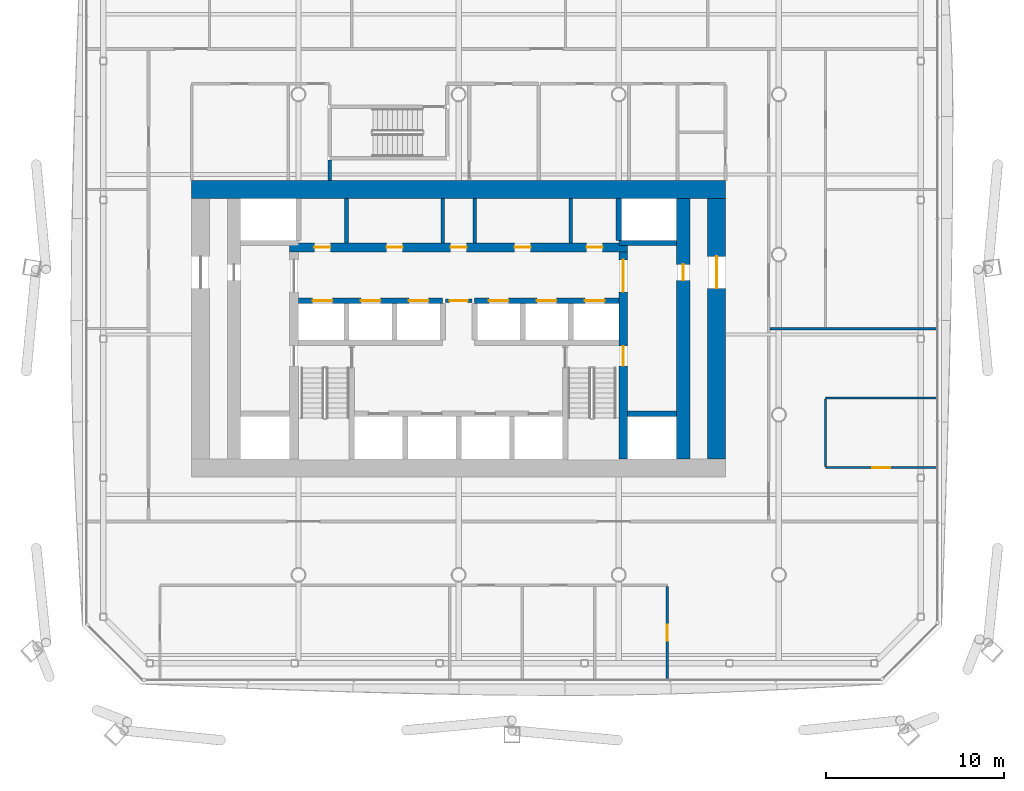
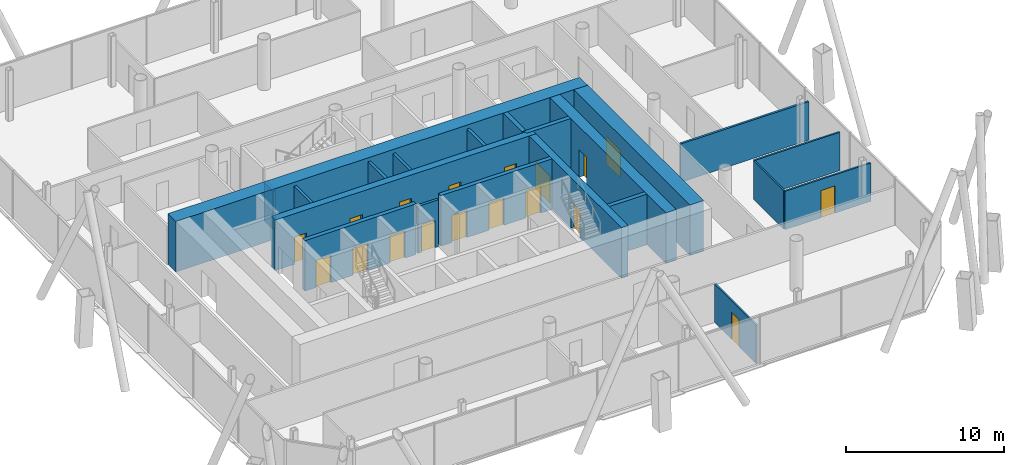
# One storey, part 15 of 22: 21 walls, 18 doors, 18 openings.
"""IFC4 building model written with IfcOpenShell, lengths in metres."""

import ifcopenshell
import ifcopenshell.guid

model = None  # the IFC model being written
_history = None  # IfcOwnerHistory: only IFC2X3 demands one
_inside = {}  # id of a spatial element -> (the spatial element, [elements in it])
_under = {}  # id of a project, library or spatial element -> (it, [spatial elements below it])
_declared = {}  # id of a project -> (the project, [libraries it declares])
_typed = {}  # id of a type object -> (the type object, [elements of that type])
_made_of = {}  # id of a material, layer set ... -> (it, [elements and type objects made of it])


def new_model(schema):
    """Start an empty IFC model of exactly this schema.

    Asked for "IFC4X3", IfcOpenShell would pick the latest addendum, in which some entities
    have other attributes; the version numbers below select the first issue.
    IFC2X3 requires an IfcOwnerHistory on every rooted entity: one is made here for all.
    """
    global model, _history
    if schema == "IFC4X3":
        model = ifcopenshell.file(schema_version=(4, 3, 0, 0))
    else:
        model = ifcopenshell.file(schema=schema)
    _inside.clear()
    _under.clear()
    _declared.clear()
    _typed.clear()
    _made_of.clear()
    _history = None
    if model.schema == "IFC2X3":
        org = make("IfcOrganization", Name="unknown")
        user = make(
            "IfcPersonAndOrganization",
            ThePerson=make("IfcPerson", FamilyName="unknown"),
            TheOrganization=org,
        )
        app = make(
            "IfcApplication",
            ApplicationDeveloper=org,
            Version="unknown",
            ApplicationFullName="unknown",
            ApplicationIdentifier="unknown",
        )
        _history = make(
            "IfcOwnerHistory",
            OwningUser=user,
            OwningApplication=app,
            ChangeAction="ADDED",
            CreationDate=0,
        )
    return model


def make(cls, **values):
    """One entity of the class cls with the attributes given. An attribute that is None is left unset."""
    return model.create_entity(
        cls, **{name: value for name, value in values.items() if value is not None}
    )


def rooted(cls, **values):
    """An entity with a GlobalId (a new one), such as an element, a storey or a relation."""
    return make(cls, GlobalId=ifcopenshell.guid.new(), OwnerHistory=_history, **values)


def si_unit(unit_type, name, prefix=None):
    """IfcSIUnit, for example si_unit("LENGTHUNIT", "METRE", prefix="MILLI")."""
    return make("IfcSIUnit", UnitType=unit_type, Prefix=prefix, Name=name)


def assignment(units):
    """IfcUnitAssignment: the units of a project."""
    return None if units is None else make("IfcUnitAssignment", Units=units)


def point(xyz):
    """IfcCartesianPoint."""
    return None if xyz is None else make("IfcCartesianPoint", Coordinates=xyz)


def direction(xyz):
    """IfcDirection."""
    return None if xyz is None else make("IfcDirection", DirectionRatios=xyz)


def frame(location, z_axis=None, x_axis=None):
    """IfcAxis2Placement3D, a coordinate frame: its origin and axes. An axis left out is left unset."""
    return make(
        "IfcAxis2Placement3D",
        Location=point(location),
        Axis=direction(z_axis),
        RefDirection=direction(x_axis),
    )


def frame_2d(location, x_axis=None):
    """IfcAxis2Placement2D, a coordinate frame in the plane: its origin and x axis."""
    return make(
        "IfcAxis2Placement2D", Location=point(location), RefDirection=direction(x_axis)
    )


def origin():
    """The frame at (0, 0, 0) with its axes left unset."""
    return frame((0.0, 0.0, 0.0))


def place(relative_to, where):
    """IfcLocalPlacement: puts the frame where relative to a parent placement (None: the world)."""
    return make(
        "IfcLocalPlacement", PlacementRelTo=relative_to, RelativePlacement=where
    )


def context(
    kind, dimensions, precision=None, world=None, true_north=None, identifier=None
):
    """IfcGeometricRepresentationContext, for example the 3D "Model" context."""
    return make(
        "IfcGeometricRepresentationContext",
        ContextIdentifier=identifier,
        ContextType=kind,
        CoordinateSpaceDimension=dimensions,
        Precision=precision,
        WorldCoordinateSystem=world,
        TrueNorth=true_north,
    )


def subcontext(parent, identifier, kind, view, scale=None):
    """IfcGeometricRepresentationSubContext, for example "Body" below "Model"."""
    return make(
        "IfcGeometricRepresentationSubContext",
        ContextIdentifier=identifier,
        ContextType=kind,
        ParentContext=parent,
        TargetScale=scale,
        TargetView=view,
    )


def project(units=None, contexts=None):
    """IfcProject with its units and contexts."""
    return rooted(
        "IfcProject",
        Name="project",
        RepresentationContexts=contexts,
        UnitsInContext=assignment(units),
    )


def spatial(cls, under=None, at=None, **own):
    """A site, building, storey or space (cls), placed at a placement, below another one or the project."""
    s = rooted(cls, ObjectPlacement=at, **own)
    if under is not None:
        _under.setdefault(under.id(), (under, []))[1].append(s)
    return s


def profile(cls, at=None, kind="AREA", **sizes):
    """A parametric profile (cls). Its sizes go by their IFC names, for example OverallWidth=200.0."""
    return make(cls, ProfileType=kind, Position=at, **sizes)


def rectangle(**sizes):
    """IfcRectangleProfileDef."""
    return profile("IfcRectangleProfileDef", **sizes)


def extrude(swept, where, along, depth):
    """IfcExtrudedAreaSolid: the profile swept, set in the frame where, extruded along a direction by depth."""
    return make(
        "IfcExtrudedAreaSolid",
        SweptArea=swept,
        Position=where,
        ExtrudedDirection=direction(along),
        Depth=depth,
    )


def shape(context_of_items, identifier, shape_type, items):
    """IfcShapeRepresentation: the items that make up one representation, for example the "Body"."""
    return make(
        "IfcShapeRepresentation",
        ContextOfItems=context_of_items,
        RepresentationIdentifier=identifier,
        RepresentationType=shape_type,
        Items=items,
    )


def material(Name=None, Category=None):
    """IfcMaterial."""
    return make("IfcMaterial", Name=Name, Category=Category)


def layer(
    of_material, thickness, ventilated=None, Name=None, Category=None, Priority=None
):
    """IfcMaterialLayer: one layer of a wall or slab, of a material (None: an air gap)."""
    return make(
        "IfcMaterialLayer",
        Material=of_material,
        LayerThickness=thickness,
        IsVentilated=ventilated,
        Name=Name,
        Category=Category,
        Priority=Priority,
    )


def layer_set(layers, Name=None):
    """IfcMaterialLayerSet."""
    return make("IfcMaterialLayerSet", MaterialLayers=layers, LayerSetName=Name)


def made_of(thing, what):
    """Note that an element or type object is made of a material, layer set ...; save() writes the relation."""
    if what is not None:
        _made_of.setdefault(what.id(), (what, []))[1].append(thing)
    return thing


def type_object(cls, material=None, **own):
    """A type object (cls), such as IfcWallType, which elements share."""
    return made_of(rooted(cls, **own), material)


def element(
    cls,
    number,
    at=None,
    inside=None,
    cuts=None,
    type_object=None,
    material=None,
    context=None,
    identifier="Body",
    shape_type=None,
    held_by="IfcProductDefinitionShape",
    body=None,
    shapes=None,
    **own,
):
    """One element of the class cls, such as IfcWall. Its Tag is "e" and its number.

    at: its placement. inside: the storey or other place that contains it. cuts: it is an
    opening in that element (IfcRelVoidsElement). A single representation is given by context,
    identifier, shape_type and body (its items); several are given by shapes. held_by: the class
    of the entity that holds the representations. save() writes the other relations.
    """
    e = rooted(cls, Tag="e%d" % number, ObjectPlacement=at, **own)
    if body is not None:
        shapes = [shape(context, identifier, shape_type, body)]
    if shapes is not None:
        e.Representation = make(held_by, Representations=shapes)
    if inside is not None:
        _inside.setdefault(inside.id(), (inside, []))[1].append(e)
    if cuts is not None:
        rooted(
            "IfcRelVoidsElement", RelatingBuildingElement=cuts, RelatedOpeningElement=e
        )
    if type_object is not None:
        _typed.setdefault(type_object.id(), (type_object, []))[1].append(e)
    return made_of(e, material)


def fill(opening, filler):
    """IfcRelFillsElement: the door or window that sits in an opening."""
    return rooted(
        "IfcRelFillsElement",
        RelatingOpeningElement=opening,
        RelatedBuildingElement=filler,
    )


def aggregate(whole, parts):
    """IfcRelAggregates: a whole, such as a stair, and the parts it consists of."""
    return rooted("IfcRelAggregates", RelatingObject=whole, RelatedObjects=parts)


def save(model, path):
    """Write the relations noted so far, then the file.

    IfcRelAggregates (storeys below a building ...), IfcRelContainedInSpatialStructure (elements
    in a storey), IfcRelDefinesByType, IfcRelAssociatesMaterial and IfcRelDeclares: one each for
    every whole, place, type object, material and project.
    """
    for whole, parts in _under.values():
        aggregate(whole, parts)
    for where, things in _inside.values():
        rooted(
            "IfcRelContainedInSpatialStructure",
            RelatedElements=things,
            RelatingStructure=where,
        )
    for kind, things in _typed.values():
        rooted("IfcRelDefinesByType", RelatedObjects=things, RelatingType=kind)
    for what, things in _made_of.values():
        rooted("IfcRelAssociatesMaterial", RelatedObjects=things, RelatingMaterial=what)
    for by, libraries in _declared.values():
        rooted("IfcRelDeclares", RelatingContext=by, RelatedDefinitions=libraries)
    model.write(path)


model = new_model("IFC4")

# Units and contexts
model_context = context("Model", 3, precision=1e-05, world=origin(), true_north=direction((0.0, 1.0)))
body_context = subcontext(model_context, "Body", "Model", "MODEL_VIEW")
ifc_project = project(units=[si_unit("LENGTHUNIT", "METRE"), si_unit("AREAUNIT", "SQUARE_METRE"), si_unit("VOLUMEUNIT", "CUBIC_METRE"), si_unit("PLANEANGLEUNIT", "RADIAN"), si_unit("MASSUNIT", "GRAM", prefix="KILO")], contexts=[model_context])

# Site, building, storey
site_placement = place(None, origin())
site = spatial("IfcSite", under=ifc_project, at=site_placement, CompositionType="ELEMENT")
building_placement = place(site_placement, origin())
building = spatial("IfcBuilding", under=site, at=building_placement, Name="Tskaro Facet Tower", CompositionType="ELEMENT")
storey_placement = place(building_placement, frame((0.0, 0.0, 97.199951171875)))
storey = spatial("IfcBuildingStorey", under=building, at=storey_placement, Name="L23", CompositionType="ELEMENT", Elevation=97.199951171875)

# Wall
ifc_material_1 = material(Name="Concrete C60/75", Category="concrete")
ifc_layer_1 = layer(ifc_material_1, 0.300048828125, Name="Concrete C60/75")
ifc_layer_set_1 = layer_set([ifc_layer_1], Name="Concrete C60/75")
wall_type_1 = type_object("IfcWallType", Name="CORE-SHAFT", PredefinedType="SHEAR", material=ifc_layer_set_1)
wall_1_placement = place(storey_placement, frame((9.5, -8.949951171875, 0.0), z_axis=(0.0, 0.0, 1.0), x_axis=(1.0, 0.0, 0.0)))
element("IfcWall", 1, at=wall_1_placement, inside=storey, type_object=wall_type_1, Name="Shaft wall W006", PredefinedType="SHEAR", context=body_context, shape_type="SweptSolid", body=[
    extrude(rectangle(XDim=2.75, YDim=0.300048828125, at=frame_2d((1.375, 0.0))), origin(), (0.0, 0.0, 1.0), 3.900146484375),
])

# Wall, openings, doors
wall_2_placement = place(storey_placement, frame((-9.0, -2.60009765625, 0.0), z_axis=(0.0, 0.0, 1.0), x_axis=(1.0, 0.0, 0.0)))
wall_2 = element("IfcWall", 2, at=wall_2_placement, inside=storey, type_object=wall_type_1, Name="Shaft wall W012", PredefinedType="SHEAR", context=body_context, shape_type="SweptSolid", body=[
    extrude(rectangle(XDim=8.10009765625, YDim=0.300048828125, at=frame_2d((4.050048828125, 0.0))), origin(), (0.0, 0.0, 1.0), 3.900146484375),
])
opening_1_placement = place(wall_2_placement, frame((0.800048828125, 0.0, 0.0)))
opening_1 = element("IfcOpeningElement", 3, at=opening_1_placement, cuts=wall_2, Name="Opening LD-LR1", PredefinedType="OPENING", context=body_context, shape_type="SweptSolid", body=[
    extrude(rectangle(XDim=1.10009765625, YDim=2.10009765625, at=frame_2d((0.550048828125, 1.050048828125))), frame((0.0, 0.159912109375, 0.0), z_axis=(0.0, -1.0, 0.0), x_axis=(1.0, 0.0, 0.0)), (0.0, 0.0, 1.0), 0.320068359375),
])
opening_2_placement = place(wall_2_placement, frame((3.5, 0.0, 0.0)))
opening_2 = element("IfcOpeningElement", 4, at=opening_2_placement, cuts=wall_2, Name="Opening LD-LR2", PredefinedType="OPENING", context=body_context, shape_type="SweptSolid", body=[
    extrude(rectangle(XDim=1.10009765625, YDim=2.10009765625, at=frame_2d((0.550048828125, 1.050048828125))), frame((0.0, 0.159912109375, 0.0), z_axis=(0.0, -1.0, 0.0), x_axis=(1.0, 0.0, 0.0)), (0.0, 0.0, 1.0), 0.320068359375),
])
opening_3_placement = place(wall_2_placement, frame((6.199951171875, 0.0, 0.0)))
opening_3 = element("IfcOpeningElement", 5, at=opening_3_placement, cuts=wall_2, Name="Opening LD-LR3", PredefinedType="OPENING", context=body_context, shape_type="SweptSolid", body=[
    extrude(rectangle(XDim=1.10009765625, YDim=2.10009765625, at=frame_2d((0.550048828125, 1.050048828125))), frame((0.0, 0.159912109375, 0.0), z_axis=(0.0, -1.0, 0.0), x_axis=(1.0, 0.0, 0.0)), (0.0, 0.0, 1.0), 0.320068359375),
])
ifc_material_2 = material(Name="Stainless steel", Category="steel")
door_type_1 = type_object("IfcDoorType", Name="D-LANDING", OperationType="NOTDEFINED", PredefinedType="DOOR", material=ifc_material_2)
door_1_placement = place(opening_1_placement, origin())
door_1 = element("IfcDoor", 6, at=door_1_placement, inside=storey, type_object=door_type_1, Name="Landing door LR1", OperationType="DOUBLE_DOOR_SLIDING", OverallHeight=2.10009765625, OverallWidth=1.10009765625, PredefinedType="DOOR", context=body_context, shape_type="SweptSolid", body=[
    extrude(rectangle(XDim=1.10009765625, YDim=2.10009765625, at=frame_2d((0.550048828125, 1.050048828125))), frame((0.0, 0.02490234375, 0.0), z_axis=(0.0, -1.0, 0.0), x_axis=(1.0, 0.0, 0.0)), (0.0, 0.0, 1.0), 0.050048828125),
])
fill(opening_1, door_1)
door_2_placement = place(opening_2_placement, origin())
door_2 = element("IfcDoor", 7, at=door_2_placement, inside=storey, type_object=door_type_1, Name="Landing door LR2", OperationType="DOUBLE_DOOR_SLIDING", OverallHeight=2.10009765625, OverallWidth=1.10009765625, PredefinedType="DOOR", context=body_context, shape_type="SweptSolid", body=[
    extrude(rectangle(XDim=1.10009765625, YDim=2.10009765625, at=frame_2d((0.550048828125, 1.050048828125))), frame((0.0, 0.02490234375, 0.0), z_axis=(0.0, -1.0, 0.0), x_axis=(1.0, 0.0, 0.0)), (0.0, 0.0, 1.0), 0.050048828125),
])
fill(opening_2, door_2)
door_3_placement = place(opening_3_placement, origin())
door_3 = element("IfcDoor", 8, at=door_3_placement, inside=storey, type_object=door_type_1, Name="Landing door LR3", OperationType="DOUBLE_DOOR_SLIDING", OverallHeight=2.10009765625, OverallWidth=1.10009765625, PredefinedType="DOOR", context=body_context, shape_type="SweptSolid", body=[
    extrude(rectangle(XDim=1.10009765625, YDim=2.10009765625, at=frame_2d((0.550048828125, 1.050048828125))), frame((0.0, 0.02490234375, 0.0), z_axis=(0.0, -1.0, 0.0), x_axis=(1.0, 0.0, 0.0)), (0.0, 0.0, 1.0), 0.050048828125),
])
fill(opening_3, door_3)

wall_3_placement = place(storey_placement, frame((0.89990234375, -2.60009765625, 0.0), z_axis=(0.0, 0.0, 1.0), x_axis=(1.0, 0.0, 0.0)))
wall_3 = element("IfcWall", 9, at=wall_3_placement, inside=storey, type_object=wall_type_1, Name="Shaft wall W014", PredefinedType="SHEAR", context=body_context, shape_type="SweptSolid", body=[
    extrude(rectangle(XDim=8.10009765625, YDim=0.300048828125, at=frame_2d((4.050048828125, 0.0))), origin(), (0.0, 0.0, 1.0), 3.900146484375),
])
opening_4_placement = place(wall_3_placement, frame((0.800048828125, 0.0, 0.0)))
opening_4 = element("IfcOpeningElement", 10, at=opening_4_placement, cuts=wall_3, Name="Opening LD-LR4", PredefinedType="OPENING", context=body_context, shape_type="SweptSolid", body=[
    extrude(rectangle(XDim=1.10009765625, YDim=2.10009765625, at=frame_2d((0.550048828125, 1.050048828125))), frame((0.0, 0.159912109375, 0.0), z_axis=(0.0, -1.0, 0.0), x_axis=(1.0, 0.0, 0.0)), (0.0, 0.0, 1.0), 0.320068359375),
])
opening_5_placement = place(wall_3_placement, frame((3.5, 0.0, 0.0)))
opening_5 = element("IfcOpeningElement", 11, at=opening_5_placement, cuts=wall_3, Name="Opening LD-LR5", PredefinedType="OPENING", context=body_context, shape_type="SweptSolid", body=[
    extrude(rectangle(XDim=1.10009765625, YDim=2.10009765625, at=frame_2d((0.550048828125, 1.050048828125))), frame((0.0, 0.159912109375, 0.0), z_axis=(0.0, -1.0, 0.0), x_axis=(1.0, 0.0, 0.0)), (0.0, 0.0, 1.0), 0.320068359375),
])
opening_6_placement = place(wall_3_placement, frame((6.199951171875, 0.0, 0.0)))
opening_6 = element("IfcOpeningElement", 12, at=opening_6_placement, cuts=wall_3, Name="Opening LD-LR6", PredefinedType="OPENING", context=body_context, shape_type="SweptSolid", body=[
    extrude(rectangle(XDim=1.10009765625, YDim=2.10009765625, at=frame_2d((0.550048828125, 1.050048828125))), frame((0.0, 0.159912109375, 0.0), z_axis=(0.0, -1.0, 0.0), x_axis=(1.0, 0.0, 0.0)), (0.0, 0.0, 1.0), 0.320068359375),
])
door_4_placement = place(opening_4_placement, origin())
door_4 = element("IfcDoor", 13, at=door_4_placement, inside=storey, type_object=door_type_1, Name="Landing door LR4", OperationType="DOUBLE_DOOR_SLIDING", OverallHeight=2.10009765625, OverallWidth=1.10009765625, PredefinedType="DOOR", context=body_context, shape_type="SweptSolid", body=[
    extrude(rectangle(XDim=1.10009765625, YDim=2.10009765625, at=frame_2d((0.550048828125, 1.050048828125))), frame((0.0, 0.02490234375, 0.0), z_axis=(0.0, -1.0, 0.0), x_axis=(1.0, 0.0, 0.0)), (0.0, 0.0, 1.0), 0.050048828125),
])
fill(opening_4, door_4)
door_5_placement = place(opening_5_placement, origin())
door_5 = element("IfcDoor", 14, at=door_5_placement, inside=storey, type_object=door_type_1, Name="Landing door LR5", OperationType="DOUBLE_DOOR_SLIDING", OverallHeight=2.10009765625, OverallWidth=1.10009765625, PredefinedType="DOOR", context=body_context, shape_type="SweptSolid", body=[
    extrude(rectangle(XDim=1.10009765625, YDim=2.10009765625, at=frame_2d((0.550048828125, 1.050048828125))), frame((0.0, 0.02490234375, 0.0), z_axis=(0.0, -1.0, 0.0), x_axis=(1.0, 0.0, 0.0)), (0.0, 0.0, 1.0), 0.050048828125),
])
fill(opening_5, door_5)
door_6_placement = place(opening_6_placement, origin())
door_6 = element("IfcDoor", 15, at=door_6_placement, inside=storey, type_object=door_type_1, Name="Landing door LR6", OperationType="DOUBLE_DOOR_SLIDING", OverallHeight=2.10009765625, OverallWidth=1.10009765625, PredefinedType="DOOR", context=body_context, shape_type="SweptSolid", body=[
    extrude(rectangle(XDim=1.10009765625, YDim=2.10009765625, at=frame_2d((0.550048828125, 1.050048828125))), frame((0.0, 0.02490234375, 0.0), z_axis=(0.0, -1.0, 0.0), x_axis=(1.0, 0.0, 0.0)), (0.0, 0.0, 1.0), 0.050048828125),
])
fill(opening_6, door_6)

# Walls
wall_4_placement = place(storey_placement, frame((12.25, 0.64990234375, 0.0), z_axis=(0.0, 0.0, 1.0), x_axis=(-1.0, 0.0, 0.0)))
element("IfcWall", 16, at=wall_4_placement, inside=storey, type_object=wall_type_1, Name="Shaft wall W016", PredefinedType="SHEAR", context=body_context, shape_type="SweptSolid", body=[
    extrude(rectangle(XDim=3.25, YDim=0.300048828125, at=frame_2d((1.625, 0.0))), origin(), (0.0, 0.0, 1.0), 3.900146484375),
])
wall_5_placement = place(storey_placement, frame((9.0, 0.800048828125, 0.0), z_axis=(0.0, 0.0, 1.0), x_axis=(0.0, 1.0, 0.0)))
element("IfcWall", 17, at=wall_5_placement, inside=storey, type_object=wall_type_1, Name="Shaft wall W064", PredefinedType="SHEAR", context=body_context, shape_type="SweptSolid", body=[
    extrude(rectangle(XDim=2.349853515625, YDim=0.300048828125, at=frame_2d((1.1748046875, 0.0))), origin(), (0.0, 0.0, 1.0), 3.900146484375),
])

# Wall, opening, door
ifc_material_3 = material(Name="Concrete C20/25", Category="concrete")
ifc_layer_2 = layer(ifc_material_3, 0.199951171875, Name="Concrete C20/25")
ifc_layer_set_2 = layer_set([ifc_layer_2], Name="Concrete C20/25")
wall_type_2 = type_object("IfcWallType", Name="CORE-WALL", PredefinedType="SOLIDWALL", material=ifc_layer_set_2)
wall_6_placement = place(storey_placement, frame((0.75, -2.60009765625, 0.0), z_axis=(0.0, 0.0, 1.0), x_axis=(-1.0, 0.0, 0.0)))
wall_6 = element("IfcWall", 18, at=wall_6_placement, inside=storey, type_object=wall_type_2, Name="Core room wall W013", PredefinedType="SOLIDWALL", context=body_context, shape_type="SweptSolid", body=[
    extrude(rectangle(XDim=1.5, YDim=0.199951171875, at=frame_2d((0.75, 0.0))), origin(), (0.0, 0.0, 1.0), 3.60009765625),
])
opening_7_placement = place(wall_6_placement, frame((0.25, 0.0, 0.0)))
opening_7 = element("IfcOpeningElement", 19, at=opening_7_placement, cuts=wall_6, Name="Opening FL-D1", PredefinedType="OPENING", context=body_context, shape_type="SweptSolid", body=[
    extrude(rectangle(XDim=1.0, YDim=2.10009765625, at=frame_2d((0.5, 1.050048828125))), frame((0.0, 0.10986328125, 0.0), z_axis=(0.0, -1.0, 0.0), x_axis=(1.0, 0.0, 0.0)), (0.0, 0.0, 1.0), 0.219970703125),
])
ifc_material_4 = material(Name="Steel", Category="steel")
door_type_2 = type_object("IfcDoorType", Name="D-LOBBY", OperationType="NOTDEFINED", PredefinedType="DOOR", material=ifc_material_4)
door_7_placement = place(opening_7_placement, origin())
door_7 = element("IfcDoor", 20, at=door_7_placement, inside=storey, type_object=door_type_2, Name="Lobby door FL", OperationType="SINGLE_SWING_RIGHT", OverallHeight=2.10009765625, OverallWidth=1.0, PredefinedType="DOOR", context=body_context, shape_type="SweptSolid", body=[
    extrude(rectangle(XDim=1.0, YDim=2.10009765625, at=frame_2d((0.5, 1.050048828125))), frame((0.0, 0.02490234375, 0.0), z_axis=(0.0, -1.0, 0.0), x_axis=(1.0, 0.0, 0.0)), (0.0, 0.0, 1.0), 0.050048828125),
])
fill(opening_7, door_7)

# Walls
for number, where, z_axis, x_axis, name in (
    (21, (-6.300048828125, 0.64990234375, 0.0), (0.0, 0.0, 1.0), (0.0, 1.0, 0.0), "Core room wall W040"),
    (22, (-0.89990234375, 0.64990234375, 0.0), (0.0, 0.0, 1.0), (0.0, 1.0, 0.0), "Core room wall W046"),
    (23, (0.89990234375, 0.64990234375, 0.0), (0.0, 0.0, 1.0), (0.0, 1.0, 0.0), "Core room wall W053"),
    (24, (6.300048828125, 0.64990234375, 0.0), (0.0, 0.0, 1.0), (0.0, 1.0, 0.0), "Core room wall W061"),
):
    element("IfcWall", number, at=place(storey_placement, frame(where, z_axis=z_axis, x_axis=x_axis)), inside=storey, type_object=wall_type_2, Name=name, PredefinedType="SOLIDWALL", context=body_context, shape_type="SweptSolid", body=[
        extrude(rectangle(XDim=2.5, YDim=0.199951171875, at=frame_2d((1.25, 0.0))), origin(), (0.0, 0.0, 1.0), 3.60009765625),
    ])
ifc_layer_3 = layer(ifc_material_1, 1.0, Name="Concrete C60/75")
ifc_layer_set_3 = layer_set([ifc_layer_3], Name="Concrete C60/75")
wall_type_3 = type_object("IfcWallType", Name="Core wall 1000", PredefinedType="SHEAR", material=ifc_layer_set_3)
wall_7_placement = place(storey_placement, frame((-15.0, 3.64990234375, 0.0), z_axis=(0.0, 0.0, 1.0), x_axis=(1.0, 0.0, 0.0)))
element("IfcWall", 25, at=wall_7_placement, inside=storey, type_object=wall_type_3, Name="Core wall CW-Z1N", PredefinedType="SHEAR", context=body_context, shape_type="SweptSolid", body=[
    extrude(rectangle(XDim=30.0, YDim=1.0, at=frame_2d((15.0, 0.0))), origin(), (0.0, 0.0, 1.0), 3.900146484375),
])

# Wall, opening, door
wall_8_placement = place(storey_placement, frame((14.5, -11.5, 0.0), z_axis=(0.0, 0.0, 1.0), x_axis=(0.0, 1.0, 0.0)))
wall_8 = element("IfcWall", 26, at=wall_8_placement, inside=storey, type_object=wall_type_3, Name="Core wall CW-Z1E", PredefinedType="SHEAR", context=body_context, shape_type="SweptSolid", body=[
    extrude(rectangle(XDim=14.64990234375, YDim=1.0, at=frame_2d((7.324951171875, 0.0))), origin(), (0.0, 0.0, 1.0), 3.900146484375),
])
opening_8_placement = place(wall_8_placement, frame((9.60009765625, 0.0, 0.0)))
opening_8 = element("IfcOpeningElement", 27, at=opening_8_placement, cuts=wall_8, Name="Opening T7-D18", PredefinedType="OPENING", context=body_context, shape_type="SweptSolid", body=[
    extrude(rectangle(XDim=1.800048828125, YDim=2.10009765625, at=frame_2d((0.89990234375, 1.050048828125))), frame((0.0, 0.510009765625, 0.0), z_axis=(0.0, -1.0, 0.0), x_axis=(1.0, 0.0, 0.0)), (0.0, 0.0, 1.0), 1.02001953125),
])
door_type_3 = type_object("IfcDoorType", Name="D-CORE-PAIR", OperationType="NOTDEFINED", PredefinedType="DOOR", material=ifc_material_4)
door_8_placement = place(opening_8_placement, origin())
door_8 = element("IfcDoor", 28, at=door_8_placement, inside=storey, type_object=door_type_3, Name="Door T7-D18", OperationType="DOUBLE_DOOR_SINGLE_SWING", OverallHeight=2.10009765625, OverallWidth=1.800048828125, PredefinedType="DOOR", context=body_context, shape_type="SweptSolid", body=[
    extrude(rectangle(XDim=1.800048828125, YDim=2.10009765625, at=frame_2d((0.89990234375, 1.050048828125))), frame((0.0, 0.02490234375, 0.0), z_axis=(0.0, -1.0, 0.0), x_axis=(1.0, 0.0, 0.0)), (0.0, 0.0, 1.0), 0.050048828125),
])
fill(opening_8, door_8)

# Wall, openings, doors
ifc_material_5 = material(Name="Concrete C40/50", Category="concrete")
ifc_layer_4 = layer(ifc_material_5, 0.5, Name="Concrete C40/50")
ifc_layer_set_4 = layer_set([ifc_layer_4], Name="Concrete C40/50")
wall_type_4 = type_object("IfcWallType", Name="Core wall 500", PredefinedType="SHEAR", material=ifc_layer_set_4)
wall_9_placement = place(storey_placement, frame((-9.5, 0.39990234375, 0.0), z_axis=(0.0, 0.0, 1.0), x_axis=(1.0, 0.0, 0.0)))
wall_9 = element("IfcWall", 29, at=wall_9_placement, inside=storey, type_object=wall_type_4, Name="Core wall CW-Z3N", PredefinedType="SHEAR", context=body_context, shape_type="SweptSolid", body=[
    extrude(rectangle(XDim=19.0, YDim=0.5, at=frame_2d((9.5, 0.0))), origin(), (0.0, 0.0, 1.0), 3.900146484375),
])
opening_9_placement = place(wall_9_placement, frame((1.39990234375, 0.0, 0.0)))
opening_9 = element("IfcOpeningElement", 30, at=opening_9_placement, cuts=wall_9, Name="Opening T7-D21", PredefinedType="OPENING", context=body_context, shape_type="SweptSolid", body=[
    extrude(rectangle(XDim=0.89990234375, YDim=2.10009765625, at=frame_2d((0.449951171875, 1.050048828125))), frame((0.0, 0.260009765625, 0.0), z_axis=(0.0, -1.0, 0.0), x_axis=(1.0, 0.0, 0.0)), (0.0, 0.0, 1.0), 0.52001953125),
])
opening_10_placement = place(wall_9_placement, frame((5.449951171875, 0.0, 0.0)))
opening_10 = element("IfcOpeningElement", 31, at=opening_10_placement, cuts=wall_9, Name="Opening T7-D22", PredefinedType="OPENING", context=body_context, shape_type="SweptSolid", body=[
    extrude(rectangle(XDim=0.89990234375, YDim=2.10009765625, at=frame_2d((0.449951171875, 1.050048828125))), frame((0.0, 0.260009765625, 0.0), z_axis=(0.0, -1.0, 0.0), x_axis=(1.0, 0.0, 0.0)), (0.0, 0.0, 1.0), 0.52001953125),
])
opening_11_placement = place(wall_9_placement, frame((12.64990234375, 0.0, 0.0)))
opening_11 = element("IfcOpeningElement", 32, at=opening_11_placement, cuts=wall_9, Name="Opening T7-D24", PredefinedType="OPENING", context=body_context, shape_type="SweptSolid", body=[
    extrude(rectangle(XDim=0.89990234375, YDim=2.10009765625, at=frame_2d((0.449951171875, 1.050048828125))), frame((0.0, 0.260009765625, 0.0), z_axis=(0.0, -1.0, 0.0), x_axis=(1.0, 0.0, 0.0)), (0.0, 0.0, 1.0), 0.52001953125),
])
opening_12_placement = place(wall_9_placement, frame((16.699951171875, 0.0, 0.0)))
opening_12 = element("IfcOpeningElement", 33, at=opening_12_placement, cuts=wall_9, Name="Opening T7-D25", PredefinedType="OPENING", context=body_context, shape_type="SweptSolid", body=[
    extrude(rectangle(XDim=0.89990234375, YDim=2.10009765625, at=frame_2d((0.449951171875, 1.050048828125))), frame((0.0, 0.260009765625, 0.0), z_axis=(0.0, -1.0, 0.0), x_axis=(1.0, 0.0, 0.0)), (0.0, 0.0, 1.0), 0.52001953125),
])
opening_13_placement = place(wall_9_placement, frame((9.050048828125, 0.0, 0.0)))
opening_13 = element("IfcOpeningElement", 34, at=opening_13_placement, cuts=wall_9, Name="Opening T7-D23", PredefinedType="OPENING", context=body_context, shape_type="SweptSolid", body=[
    extrude(rectangle(XDim=0.89990234375, YDim=2.10009765625, at=frame_2d((0.449951171875, 1.050048828125))), frame((0.0, 0.260009765625, 0.0), z_axis=(0.0, -1.0, 0.0), x_axis=(1.0, 0.0, 0.0)), (0.0, 0.0, 1.0), 0.52001953125),
])
door_type_4 = type_object("IfcDoorType", Name="D-RISER", OperationType="NOTDEFINED", PredefinedType="DOOR", material=ifc_material_4)
door_9_placement = place(opening_13_placement, origin())
door_9 = element("IfcDoor", 35, at=door_9_placement, inside=storey, type_object=door_type_4, Name="Door T7-D23", OperationType="SINGLE_SWING_LEFT", OverallHeight=2.10009765625, OverallWidth=0.89990234375, PredefinedType="DOOR", context=body_context, shape_type="SweptSolid", body=[
    extrude(rectangle(XDim=0.89990234375, YDim=2.10009765625, at=frame_2d((0.449951171875, 1.050048828125))), frame((0.0, 0.02490234375, 0.0), z_axis=(0.0, -1.0, 0.0), x_axis=(1.0, 0.0, 0.0)), (0.0, 0.0, 1.0), 0.050048828125),
])
fill(opening_13, door_9)
ifc_material_6 = material(Name="Timber", Category="wood")
door_type_5 = type_object("IfcDoorType", Name="D-ROOM", OperationType="NOTDEFINED", PredefinedType="DOOR", material=ifc_material_6)
door_10_placement = place(opening_9_placement, origin())
door_10 = element("IfcDoor", 36, at=door_10_placement, inside=storey, type_object=door_type_5, Name="Door T7-D21", OperationType="SINGLE_SWING_LEFT", OverallHeight=2.10009765625, OverallWidth=0.89990234375, PredefinedType="DOOR", context=body_context, shape_type="SweptSolid", body=[
    extrude(rectangle(XDim=0.89990234375, YDim=2.10009765625, at=frame_2d((0.449951171875, 1.050048828125))), frame((0.0, 0.02490234375, 0.0), z_axis=(0.0, -1.0, 0.0), x_axis=(1.0, 0.0, 0.0)), (0.0, 0.0, 1.0), 0.050048828125),
])
fill(opening_9, door_10)
door_11_placement = place(opening_10_placement, origin())
door_11 = element("IfcDoor", 37, at=door_11_placement, inside=storey, type_object=door_type_5, Name="Door T7-D22", OperationType="SINGLE_SWING_LEFT", OverallHeight=2.10009765625, OverallWidth=0.89990234375, PredefinedType="DOOR", context=body_context, shape_type="SweptSolid", body=[
    extrude(rectangle(XDim=0.89990234375, YDim=2.10009765625, at=frame_2d((0.449951171875, 1.050048828125))), frame((0.0, 0.02490234375, 0.0), z_axis=(0.0, -1.0, 0.0), x_axis=(1.0, 0.0, 0.0)), (0.0, 0.0, 1.0), 0.050048828125),
])
fill(opening_10, door_11)
door_12_placement = place(opening_11_placement, origin())
door_12 = element("IfcDoor", 38, at=door_12_placement, inside=storey, type_object=door_type_5, Name="Door T7-D24", OperationType="SINGLE_SWING_LEFT", OverallHeight=2.10009765625, OverallWidth=0.89990234375, PredefinedType="DOOR", context=body_context, shape_type="SweptSolid", body=[
    extrude(rectangle(XDim=0.89990234375, YDim=2.10009765625, at=frame_2d((0.449951171875, 1.050048828125))), frame((0.0, 0.02490234375, 0.0), z_axis=(0.0, -1.0, 0.0), x_axis=(1.0, 0.0, 0.0)), (0.0, 0.0, 1.0), 0.050048828125),
])
fill(opening_11, door_12)
door_13_placement = place(opening_12_placement, origin())
door_13 = element("IfcDoor", 39, at=door_13_placement, inside=storey, type_object=door_type_5, Name="Door T7-D25", OperationType="SINGLE_SWING_LEFT", OverallHeight=2.10009765625, OverallWidth=0.89990234375, PredefinedType="DOOR", context=body_context, shape_type="SweptSolid", body=[
    extrude(rectangle(XDim=0.89990234375, YDim=2.10009765625, at=frame_2d((0.449951171875, 1.050048828125))), frame((0.0, 0.02490234375, 0.0), z_axis=(0.0, -1.0, 0.0), x_axis=(1.0, 0.0, 0.0)), (0.0, 0.0, 1.0), 0.050048828125),
])
fill(opening_12, door_13)

wall_10_placement = place(storey_placement, frame((9.25, -11.5, 0.0), z_axis=(0.0, 0.0, 1.0), x_axis=(0.0, 1.0, 0.0)))
wall_10 = element("IfcWall", 40, at=wall_10_placement, inside=storey, type_object=wall_type_4, Name="Core wall CW-Z3E", PredefinedType="SHEAR", context=body_context, shape_type="SweptSolid", body=[
    extrude(rectangle(XDim=11.64990234375, YDim=0.5, at=frame_2d((5.824951171875, 0.0))), origin(), (0.0, 0.0, 1.0), 3.900146484375),
])
opening_14_placement = place(wall_10_placement, frame((9.39990234375, 0.0, 0.0)))
opening_14 = element("IfcOpeningElement", 41, at=opening_14_placement, cuts=wall_10, Name="Opening T7-D14", PredefinedType="OPENING", context=body_context, shape_type="SweptSolid", body=[
    extrude(rectangle(XDim=1.800048828125, YDim=2.10009765625, at=frame_2d((0.89990234375, 1.050048828125))), frame((0.0, 0.260009765625, 0.0), z_axis=(0.0, -1.0, 0.0), x_axis=(1.0, 0.0, 0.0)), (0.0, 0.0, 1.0), 0.52001953125),
])
opening_15_placement = place(wall_10_placement, frame((5.25, 0.0, 0.0)))
opening_15 = element("IfcOpeningElement", 42, at=opening_15_placement, cuts=wall_10, Name="Opening ST-2-D2", PredefinedType="OPENING", context=body_context, shape_type="SweptSolid", body=[
    extrude(rectangle(XDim=1.10009765625, YDim=2.10009765625, at=frame_2d((0.550048828125, 1.050048828125))), frame((0.0, 0.260009765625, 0.0), z_axis=(0.0, -1.0, 0.0), x_axis=(1.0, 0.0, 0.0)), (0.0, 0.0, 1.0), 0.52001953125),
])
door_14_placement = place(opening_14_placement, origin())
door_14 = element("IfcDoor", 43, at=door_14_placement, inside=storey, type_object=door_type_3, Name="Door T7-D14", OperationType="DOUBLE_DOOR_SINGLE_SWING", OverallHeight=2.10009765625, OverallWidth=1.800048828125, PredefinedType="DOOR", context=body_context, shape_type="SweptSolid", body=[
    extrude(rectangle(XDim=1.800048828125, YDim=2.10009765625, at=frame_2d((0.89990234375, 1.050048828125))), frame((0.0, 0.02490234375, 0.0), z_axis=(0.0, -1.0, 0.0), x_axis=(1.0, 0.0, 0.0)), (0.0, 0.0, 1.0), 0.050048828125),
])
fill(opening_14, door_14)
door_type_6 = type_object("IfcDoorType", Name="D-STAIR", OperationType="NOTDEFINED", PredefinedType="DOOR", material=ifc_material_4)
door_15_placement = place(opening_15_placement, origin())
door_15 = element("IfcDoor", 44, at=door_15_placement, inside=storey, type_object=door_type_6, Name="Stair door 2 east", OperationType="SINGLE_SWING_LEFT", OverallHeight=2.10009765625, OverallWidth=1.10009765625, PredefinedType="DOOR", context=body_context, shape_type="SweptSolid", body=[
    extrude(rectangle(XDim=1.10009765625, YDim=2.10009765625, at=frame_2d((0.550048828125, 1.050048828125))), frame((0.0, 0.02490234375, 0.0), z_axis=(0.0, -1.0, 0.0), x_axis=(1.0, 0.0, 0.0)), (0.0, 0.0, 1.0), 0.050048828125),
])
fill(opening_15, door_15)

# Wall, opening, door
ifc_material_7 = material(Name="Concrete C50/60", Category="concrete")
ifc_layer_5 = layer(ifc_material_7, 0.75, Name="Concrete C50/60")
ifc_layer_set_5 = layer_set([ifc_layer_5], Name="Concrete C50/60")
wall_type_5 = type_object("IfcWallType", Name="Core wall 750", PredefinedType="SHEAR", material=ifc_layer_set_5)
wall_11_placement = place(storey_placement, frame((12.625, -11.5, 0.0), z_axis=(0.0, 0.0, 1.0), x_axis=(0.0, 1.0, 0.0)))
wall_11 = element("IfcWall", 45, at=wall_11_placement, inside=storey, type_object=wall_type_5, Name="Core wall CW-Z2E", PredefinedType="SHEAR", context=body_context, shape_type="SweptSolid", body=[
    extrude(rectangle(XDim=14.64990234375, YDim=0.75, at=frame_2d((7.324951171875, 0.0))), origin(), (0.0, 0.0, 1.0), 3.900146484375),
])
opening_16_placement = place(wall_11_placement, frame((10.050048828125, 0.0, 0.0)))
opening_16 = element("IfcOpeningElement", 46, at=opening_16_placement, cuts=wall_11, Name="Opening T7-D17", PredefinedType="OPENING", context=body_context, shape_type="SweptSolid", body=[
    extrude(rectangle(XDim=0.89990234375, YDim=2.10009765625, at=frame_2d((0.449951171875, 1.050048828125))), frame((0.0, 0.385009765625, 0.0), z_axis=(0.0, -1.0, 0.0), x_axis=(1.0, 0.0, 0.0)), (0.0, 0.0, 1.0), 0.77001953125),
])
door_16_placement = place(opening_16_placement, origin())
door_16 = element("IfcDoor", 47, at=door_16_placement, inside=storey, type_object=door_type_5, Name="Door T7-D17", OperationType="SINGLE_SWING_LEFT", OverallHeight=2.10009765625, OverallWidth=0.89990234375, PredefinedType="DOOR", context=body_context, shape_type="SweptSolid", body=[
    extrude(rectangle(XDim=0.89990234375, YDim=2.10009765625, at=frame_2d((0.449951171875, 1.050048828125))), frame((0.0, 0.02490234375, 0.0), z_axis=(0.0, -1.0, 0.0), x_axis=(1.0, 0.0, 0.0)), (0.0, 0.0, 1.0), 0.050048828125),
])
fill(opening_16, door_16)

ifc_material_8 = material(Name="Gypsum board on steel studs", Category="steel")
ifc_layer_6 = layer(ifc_material_8, 0.125, Name="Gypsum board on steel studs")
ifc_layer_set_6 = layer_set([ifc_layer_6], Name="Gypsum board on steel studs")
wall_type_6 = type_object("IfcWallType", Name="PART", PredefinedType="PARTITIONING", material=ifc_layer_set_6)
wall_12_placement = place(storey_placement, frame((20.625, -11.972900390625, 0.0), z_axis=(0.0, 0.0, 1.0), x_axis=(1.0, 0.0, 0.0)))
wall_12 = element("IfcWall", 48, at=wall_12_placement, inside=storey, type_object=wall_type_6, Name="Partition W003", PredefinedType="PARTITIONING", context=body_context, shape_type="SweptSolid", body=[
    extrude(rectangle(XDim=6.239990234375, YDim=0.125, at=frame_2d((3.1201171875, 0.0))), origin(), (0.0, 0.0, 1.0), 2.9599609375),
])
opening_17_placement = place(wall_12_placement, frame((2.6201171875, 0.0, 0.0)))
opening_17 = element("IfcOpeningElement", 49, at=opening_17_placement, cuts=wall_12, Name="Opening T7-D09", PredefinedType="OPENING", context=body_context, shape_type="SweptSolid", body=[
    extrude(rectangle(XDim=1.0, YDim=2.10009765625, at=frame_2d((0.5, 1.050048828125))), frame((0.0, 0.072509765625, 0.0), z_axis=(0.0, -1.0, 0.0), x_axis=(1.0, 0.0, 0.0)), (0.0, 0.0, 1.0), 0.14501953125),
])
door_type_7 = type_object("IfcDoorType", Name="D-ROOM-WIDE", OperationType="NOTDEFINED", PredefinedType="DOOR", material=ifc_material_6)
door_17_placement = place(opening_17_placement, origin())
door_17 = element("IfcDoor", 50, at=door_17_placement, inside=storey, type_object=door_type_7, Name="Door T7-D09", OperationType="SINGLE_SWING_LEFT", OverallHeight=2.10009765625, OverallWidth=1.0, PredefinedType="DOOR", context=body_context, shape_type="SweptSolid", body=[
    extrude(rectangle(XDim=1.0, YDim=2.10009765625, at=frame_2d((0.5, 1.050048828125))), frame((0.0, 0.02490234375, 0.0), z_axis=(0.0, -1.0, 0.0), x_axis=(1.0, 0.0, 0.0)), (0.0, 0.0, 1.0), 0.050048828125),
])
fill(opening_17, door_17)

# Wall
wall_13_placement = place(storey_placement, frame((20.625, -8.068115234375, 0.0), z_axis=(0.0, 0.0, 1.0), x_axis=(1.0, 0.0, 0.0)))
element("IfcWall", 51, at=wall_13_placement, inside=storey, type_object=wall_type_6, Name="Partition W007", PredefinedType="PARTITIONING", context=body_context, shape_type="SweptSolid", body=[
    extrude(rectangle(XDim=6.239990234375, YDim=0.125, at=frame_2d((3.1201171875, 0.0))), origin(), (0.0, 0.0, 1.0), 2.9599609375),
])

# Wall, opening, door
wall_14_placement = place(storey_placement, frame((11.72607421875, -23.864990234375, 0.0), z_axis=(0.0, 0.0, 1.0), x_axis=(0.0, 1.0, 0.0)))
wall_14 = element("IfcWall", 52, at=wall_14_placement, inside=storey, type_object=wall_type_6, Name="Partition W066", PredefinedType="PARTITIONING", context=body_context, shape_type="SweptSolid", body=[
    extrude(rectangle(XDim=5.222412109375, YDim=0.125, at=frame_2d((2.611328125, 0.0))), origin(), (0.0, 0.0, 1.0), 2.9599609375),
])
opening_18_placement = place(wall_14_placement, frame((2.1611328125, 0.0, 0.0)))
opening_18 = element("IfcOpeningElement", 53, at=opening_18_placement, cuts=wall_14, Name="Opening T7-D02", PredefinedType="OPENING", context=body_context, shape_type="SweptSolid", body=[
    extrude(rectangle(XDim=0.89990234375, YDim=2.10009765625, at=frame_2d((0.449951171875, 1.050048828125))), frame((0.0, 0.072509765625, 0.0), z_axis=(0.0, -1.0, 0.0), x_axis=(1.0, 0.0, 0.0)), (0.0, 0.0, 1.0), 0.14501953125),
])
door_18_placement = place(opening_18_placement, origin())
door_18 = element("IfcDoor", 54, at=door_18_placement, inside=storey, type_object=door_type_5, Name="Door T7-D02", OperationType="SINGLE_SWING_LEFT", OverallHeight=2.10009765625, OverallWidth=0.89990234375, PredefinedType="DOOR", context=body_context, shape_type="SweptSolid", body=[
    extrude(rectangle(XDim=0.89990234375, YDim=2.10009765625, at=frame_2d((0.449951171875, 1.050048828125))), frame((0.0, 0.02490234375, 0.0), z_axis=(0.0, -1.0, 0.0), x_axis=(1.0, 0.0, 0.0)), (0.0, 0.0, 1.0), 0.050048828125),
])
fill(opening_18, door_18)

# Walls
wall_15_placement = place(storey_placement, frame((20.625, -11.910400390625, 0.0), z_axis=(0.0, 0.0, 1.0), x_axis=(0.0, 1.0, 0.0)))
element("IfcWall", 55, at=wall_15_placement, inside=storey, type_object=wall_type_6, Name="Partition W071", PredefinedType="PARTITIONING", context=body_context, shape_type="SweptSolid", body=[
    extrude(rectangle(XDim=3.77978515625, YDim=0.125, at=frame_2d((1.889892578125, 0.0))), origin(), (0.0, 0.0, 1.0), 2.9599609375),
])
ifc_layer_7 = layer(ifc_material_8, 0.14990234375, Name="Gypsum board on steel studs")
ifc_layer_set_7 = layer_set([ifc_layer_7], Name="Gypsum board on steel studs")
wall_type_7 = type_object("IfcWallType", Name="PART-CORR", PredefinedType="PARTITIONING", material=ifc_layer_set_7)
wall_16_placement = place(storey_placement, frame((17.5, -4.162109375, 0.0), z_axis=(0.0, 0.0, 1.0), x_axis=(1.0, 0.0, 0.0)))
element("IfcWall", 56, at=wall_16_placement, inside=storey, type_object=wall_type_7, Name="Corridor wall W011", PredefinedType="PARTITIONING", context=body_context, shape_type="SweptSolid", body=[
    extrude(rectangle(XDim=9.364990234375, YDim=0.14990234375, at=frame_2d((4.6826171875, 0.0))), origin(), (0.0, 0.0, 1.0), 2.9599609375),
])
ifc_layer_8 = layer(ifc_material_3, 0.199951171875, Name="Concrete C20/25")
ifc_layer_set_8 = layer_set([ifc_layer_8], Name="Concrete C20/25")
wall_type_8 = type_object("IfcWallType", Name="WALL-RISER", PredefinedType="SOLIDWALL", material=ifc_layer_set_8)
wall_17_placement = place(storey_placement, frame((-7.25, 4.14990234375, 0.0), z_axis=(0.0, 0.0, 1.0), x_axis=(0.0, 1.0, 0.0)))
element("IfcWall", 57, at=wall_17_placement, inside=storey, type_object=wall_type_8, Name="Riser room wall W036", PredefinedType="SOLIDWALL", context=body_context, shape_type="SweptSolid", body=[
    extrude(rectangle(XDim=1.150146484375, YDim=0.199951171875, at=frame_2d((0.5751953125, 0.0))), origin(), (0.0, 0.0, 1.0), 2.9599609375),
])

save(model, "model.ifc")
